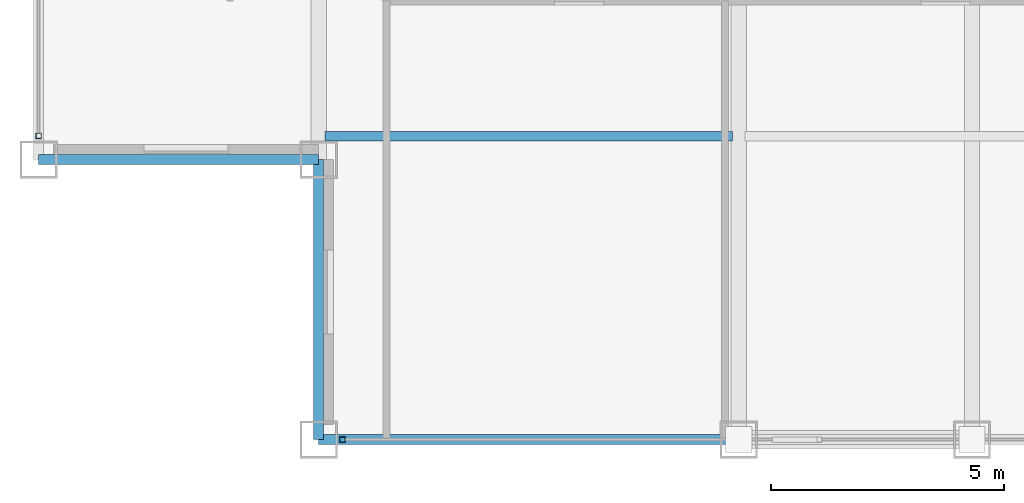
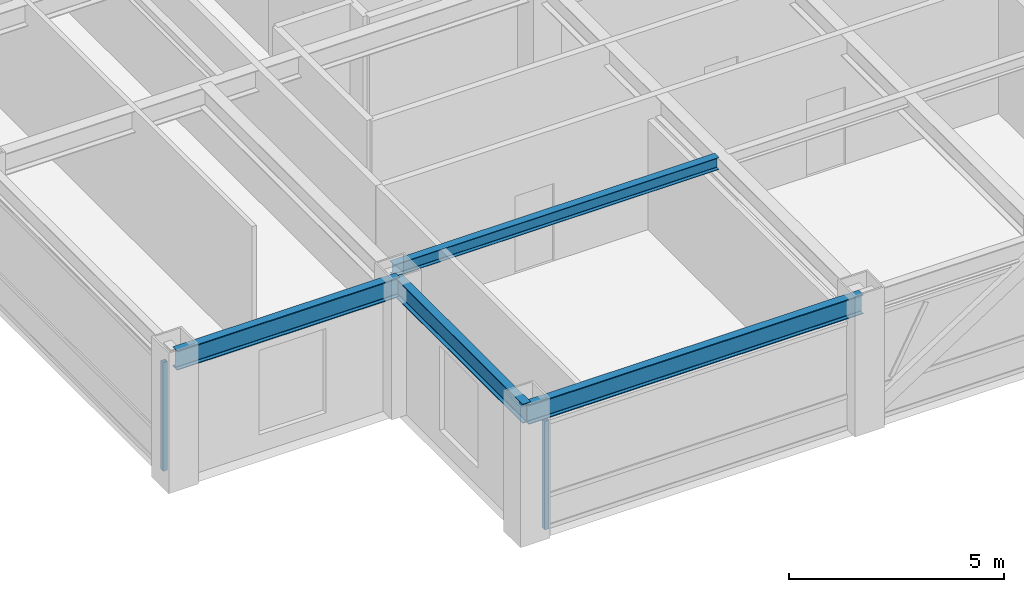
# One storey, part 2 of 28: 4 beams, 2 members, 2 elements without a shape of their own.
"""IFC4 building model written with IfcOpenShell, lengths in metres."""

from ifc_helpers import new_model, si_unit, direction, frame, origin, origin_2d, place, context, subcontext, project, spatial, hollow_rectangle, i_section, extrude, source, transform, mapped, material, material_profile, profile_set, type_object, element, aggregate, save


model = new_model("IFC4")

# Units and contexts
model_context = context("Model", 3, precision=1e-05, world=origin(), true_north=direction((0.0, 1.0)))
body_context = subcontext(model_context, "Body", "Model", "MODEL_VIEW")
ifc_project = project(units=[si_unit("LENGTHUNIT", "METRE"), si_unit("AREAUNIT", "SQUARE_METRE"), si_unit("VOLUMEUNIT", "CUBIC_METRE"), si_unit("PLANEANGLEUNIT", "RADIAN"), si_unit("MASSUNIT", "GRAM", prefix="KILO")], contexts=[model_context])

# Site, building, storey
site_placement = place(None, origin())
site = spatial("IfcSite", under=ifc_project, at=site_placement, CompositionType="ELEMENT")
building_placement = place(site_placement, origin())
building = spatial("IfcBuilding", under=site, at=building_placement, Name="Khorayat Bourse Tower", CompositionType="ELEMENT")
storey_placement = place(building_placement, frame((0.0, 0.0, 338.300048828125)))
storey = spatial("IfcBuildingStorey", under=building, at=storey_placement, Name="L80", CompositionType="ELEMENT", Elevation=338.300048828125)

# Beams
ifc_material_1 = material(Name="Steel ASTM A992 Grade 50", Category="steel")
ifc_material_profile_1 = material_profile(ifc_material_1, i_section(OverallWidth=0.214111328125, OverallDepth=0.549072265625, WebThickness=0.0146484375, FlangeThickness=0.023681640625, FilletRadius=0.013916015625, at=origin_2d()), Name="W530X138")
ifc_profile_set_1 = profile_set([ifc_material_profile_1], Name="Steel ASTM A992 Grade 50")
beam_type_1 = type_object("IfcBeamType", Name="BM-SPAN-530", PredefinedType="SPANDREL", material=ifc_profile_set_1)
shared_shape_1 = source(origin(), body_context, "Body", "SweptSolid", [
    extrude(i_section(OverallWidth=0.214111328125, OverallDepth=0.549072265625, WebThickness=0.0146484375, FlangeThickness=0.023681640625, FilletRadius=0.013916015625, at=origin_2d()), origin(), (0.0, 0.0, 1.0), 9.0),
])
beam_1_placement = place(storey_placement, frame((-20.0, -26.0, 3.46533203125), z_axis=(1.0, 0.0, 0.0), x_axis=(0.0, 1.0, 0.0)))
element("IfcBeam", 1, at=beam_1_placement, inside=storey, type_object=beam_type_1, Name="L80 BM-SPAN-530 BM-L80-SPN-024", PredefinedType="SPANDREL", context=body_context, shape_type="MappedRepresentation", body=[
    mapped(shared_shape_1, transform((0.0, 0.0, 0.0), scale=1.0)),
])
shared_shape_2 = source(origin(), body_context, "Body", "SweptSolid", [
    extrude(i_section(OverallWidth=0.214111328125, OverallDepth=0.549072265625, WebThickness=0.0146484375, FlangeThickness=0.023681640625, FilletRadius=0.013916015625, at=origin_2d()), origin(), (0.0, 0.0, 1.0), 6.0),
])
for number, where, z_axis, x_axis, name in (
    (2, (-26.0, -20.0, 3.46533203125), (1.0, 0.0, 0.0), (0.0, 1.0, 0.0), "L80 BM-SPAN-530 BM-L80-SPN-054"),
    (3, (-20.0, -26.0, 3.46533203125), (0.0, 1.0, 0.0), (-1.0, 0.0, 0.0), "L80 BM-SPAN-530 BM-L80-SPN-055"),
):
    element("IfcBeam", number, at=place(storey_placement, frame(where, z_axis=z_axis, x_axis=x_axis)), inside=storey, type_object=beam_type_1, Name=name, PredefinedType="SPANDREL", context=body_context, shape_type="MappedRepresentation", body=[
        mapped(shared_shape_2, transform((0.0, 0.0, 0.0), scale=1.0)),
    ])
ifc_material_profile_2 = material_profile(ifc_material_1, i_section(OverallWidth=0.202880859375, OverallDepth=0.346923828125, WebThickness=0.0078125, FlangeThickness=0.013427734375, FilletRadius=0.010009765625, at=origin_2d()), Name="W360X64")
ifc_profile_set_2 = profile_set([ifc_material_profile_2], Name="Steel ASTM A992 Grade 50")
beam_type_2 = type_object("IfcBeamType", Name="BM-JOIST-360", PredefinedType="JOIST", material=ifc_profile_set_2)
shared_shape_3 = source(origin(), body_context, "Body", "SweptSolid", [
    extrude(i_section(OverallWidth=0.202880859375, OverallDepth=0.346923828125, WebThickness=0.0078125, FlangeThickness=0.013427734375, FilletRadius=0.010009765625, at=origin_2d()), origin(), (0.0, 0.0, 1.0), 8.740234375),
])
beam_2_placement = place(storey_placement, frame((-19.8701171875, -19.5, 3.56640625), z_axis=(1.0, 0.0, 0.0), x_axis=(0.0, 1.0, 0.0)))
element("IfcBeam", 4, at=beam_2_placement, inside=storey, type_object=beam_type_2, Name="L80 BM-JOIST-360 BM-L80-JSTX-080", PredefinedType="JOIST", context=body_context, shape_type="MappedRepresentation", body=[
    mapped(shared_shape_3, transform((0.0, 0.0, 0.0), scale=1.0)),
])

# Curtain wall, member
ifc_material_2 = material(Name="Aluminium EN AW-6063 T6", Category="aluminium")
curtain_wall_type = type_object("IfcCurtainWallType", Name="CW-SYS-04", PredefinedType="NOTDEFINED", material=ifc_material_2)
curtain_wall_1_placement = place(storey_placement, origin())
curtain_wall_1 = element("IfcCurtainWall", 5, at=curtain_wall_1_placement, inside=storey, type_object=curtain_wall_type, Name="L80 Curtain Wall CW-L80-S1", PredefinedType="NOTDEFINED")
ifc_material_profile_3 = material_profile(ifc_material_2, hollow_rectangle(XDim=0.1201171875, YDim=0.1201171875, WallThickness=0.0048828125, at=origin_2d()), Name="ALU 120x120x5")
ifc_profile_set_3 = profile_set([ifc_material_profile_3], Name="Aluminium EN AW-6063 T6")
member_type = type_object("IfcMemberType", Name="CWM-VERT-120", PredefinedType="MULLION", material=ifc_profile_set_3)
shared_shape_4 = source(origin(), body_context, "Body", "SweptSolid", [
    extrude(hollow_rectangle(XDim=0.1201171875, YDim=0.1201171875, WallThickness=0.0048828125, at=origin_2d()), origin(), (0.0, 0.0, 1.0), 3.08984375),
])
member_1_placement = place(storey_placement, frame((-19.489990234375, -26.0, 0.0), z_axis=(0.0, 0.0, 1.0), x_axis=(0.0, 1.0, 0.0)))
member_1 = element("IfcMember", 6, at=member_1_placement, type_object=member_type, Name="CW-L80-S1 Vertical Mullion 1", PredefinedType="MULLION", context=body_context, shape_type="MappedRepresentation", body=[
    mapped(shared_shape_4, transform((0.0, 0.0, 0.0), scale=1.0)),
])
aggregate(curtain_wall_1, [member_1])

curtain_wall_2_placement = place(storey_placement, origin())
curtain_wall_2 = element("IfcCurtainWall", 7, at=curtain_wall_2_placement, inside=storey, type_object=curtain_wall_type, Name="L80 Curtain Wall CW-L80-W1", PredefinedType="NOTDEFINED")
member_2_placement = place(storey_placement, frame((-26.0, -19.489990234375, 0.0), z_axis=(0.0, 0.0, 1.0), x_axis=(-1.0, 0.0, 0.0)))
member_2 = element("IfcMember", 8, at=member_2_placement, type_object=member_type, Name="CW-L80-W1 Vertical Mullion 1", PredefinedType="MULLION", context=body_context, shape_type="MappedRepresentation", body=[
    mapped(shared_shape_4, transform((0.0, 0.0, 0.0), scale=1.0)),
])
aggregate(curtain_wall_2, [member_2])

save(model, "model.ifc")
